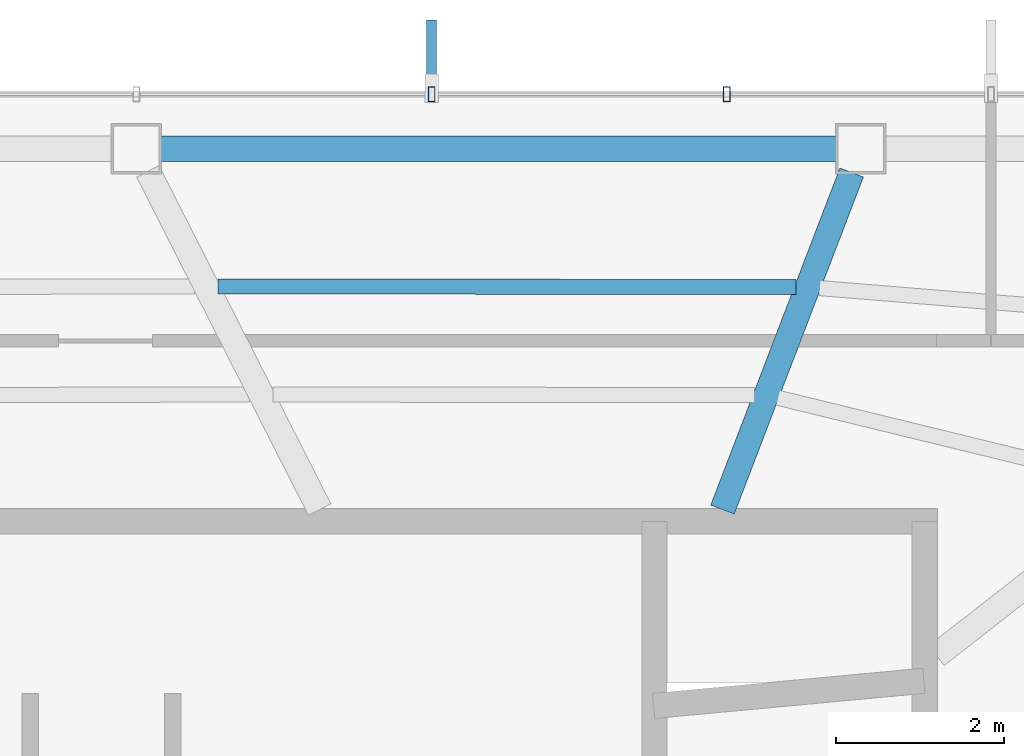
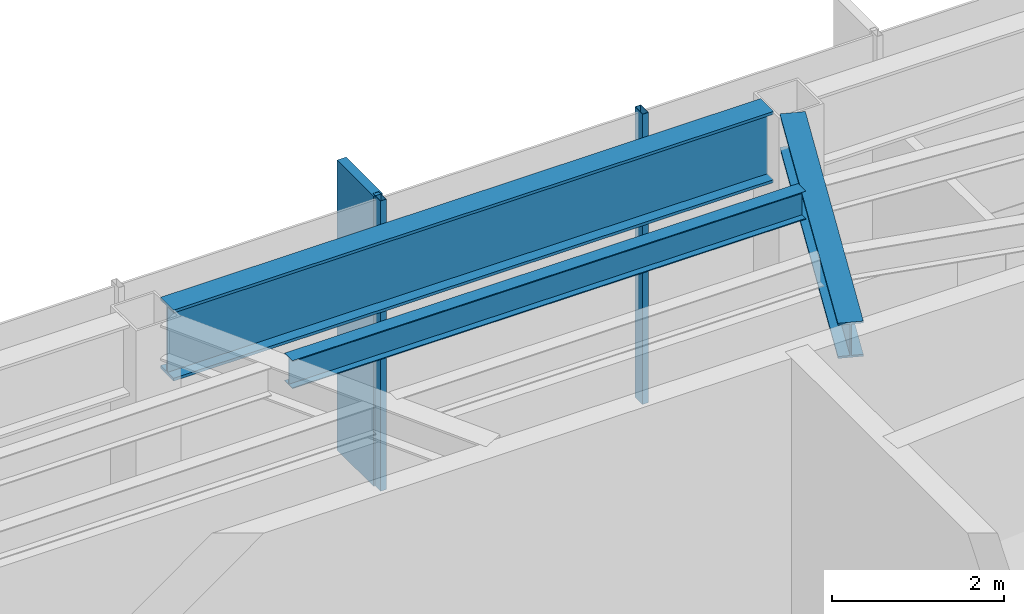
# One storey, part 11 of 23: 3 beams, 3 members, 1 element without a shape of its own.
"""IFC4 building model written with IfcOpenShell, lengths in metres."""

import ifcopenshell
import ifcopenshell.guid

model = None  # the IFC model being written
_history = None  # IfcOwnerHistory: only IFC2X3 demands one
_inside = {}  # id of a spatial element -> (the spatial element, [elements in it])
_under = {}  # id of a project, library or spatial element -> (it, [spatial elements below it])
_declared = {}  # id of a project -> (the project, [libraries it declares])
_typed = {}  # id of a type object -> (the type object, [elements of that type])
_made_of = {}  # id of a material, layer set ... -> (it, [elements and type objects made of it])


def new_model(schema):
    """Start an empty IFC model of exactly this schema.

    Asked for "IFC4X3", IfcOpenShell would pick the latest addendum, in which some entities
    have other attributes; the version numbers below select the first issue.
    IFC2X3 requires an IfcOwnerHistory on every rooted entity: one is made here for all.
    """
    global model, _history
    if schema == "IFC4X3":
        model = ifcopenshell.file(schema_version=(4, 3, 0, 0))
    else:
        model = ifcopenshell.file(schema=schema)
    _inside.clear()
    _under.clear()
    _declared.clear()
    _typed.clear()
    _made_of.clear()
    _history = None
    if model.schema == "IFC2X3":
        org = make("IfcOrganization", Name="unknown")
        user = make(
            "IfcPersonAndOrganization",
            ThePerson=make("IfcPerson", FamilyName="unknown"),
            TheOrganization=org,
        )
        app = make(
            "IfcApplication",
            ApplicationDeveloper=org,
            Version="unknown",
            ApplicationFullName="unknown",
            ApplicationIdentifier="unknown",
        )
        _history = make(
            "IfcOwnerHistory",
            OwningUser=user,
            OwningApplication=app,
            ChangeAction="ADDED",
            CreationDate=0,
        )
    return model


def make(cls, **values):
    """One entity of the class cls with the attributes given. An attribute that is None is left unset."""
    return model.create_entity(
        cls, **{name: value for name, value in values.items() if value is not None}
    )


def rooted(cls, **values):
    """An entity with a GlobalId (a new one), such as an element, a storey or a relation."""
    return make(cls, GlobalId=ifcopenshell.guid.new(), OwnerHistory=_history, **values)


def si_unit(unit_type, name, prefix=None):
    """IfcSIUnit, for example si_unit("LENGTHUNIT", "METRE", prefix="MILLI")."""
    return make("IfcSIUnit", UnitType=unit_type, Prefix=prefix, Name=name)


def assignment(units):
    """IfcUnitAssignment: the units of a project."""
    return None if units is None else make("IfcUnitAssignment", Units=units)


def point(xyz):
    """IfcCartesianPoint."""
    return None if xyz is None else make("IfcCartesianPoint", Coordinates=xyz)


def direction(xyz):
    """IfcDirection."""
    return None if xyz is None else make("IfcDirection", DirectionRatios=xyz)


def frame(location, z_axis=None, x_axis=None):
    """IfcAxis2Placement3D, a coordinate frame: its origin and axes. An axis left out is left unset."""
    return make(
        "IfcAxis2Placement3D",
        Location=point(location),
        Axis=direction(z_axis),
        RefDirection=direction(x_axis),
    )


def frame_2d(location, x_axis=None):
    """IfcAxis2Placement2D, a coordinate frame in the plane: its origin and x axis."""
    return make(
        "IfcAxis2Placement2D", Location=point(location), RefDirection=direction(x_axis)
    )


def origin():
    """The frame at (0, 0, 0) with its axes left unset."""
    return frame((0.0, 0.0, 0.0))


def origin_2d():
    """The frame at (0, 0) in the plane with its x axis left unset."""
    return frame_2d((0.0, 0.0))


def place(relative_to, where):
    """IfcLocalPlacement: puts the frame where relative to a parent placement (None: the world)."""
    return make(
        "IfcLocalPlacement", PlacementRelTo=relative_to, RelativePlacement=where
    )


def context(
    kind, dimensions, precision=None, world=None, true_north=None, identifier=None
):
    """IfcGeometricRepresentationContext, for example the 3D "Model" context."""
    return make(
        "IfcGeometricRepresentationContext",
        ContextIdentifier=identifier,
        ContextType=kind,
        CoordinateSpaceDimension=dimensions,
        Precision=precision,
        WorldCoordinateSystem=world,
        TrueNorth=true_north,
    )


def subcontext(parent, identifier, kind, view, scale=None):
    """IfcGeometricRepresentationSubContext, for example "Body" below "Model"."""
    return make(
        "IfcGeometricRepresentationSubContext",
        ContextIdentifier=identifier,
        ContextType=kind,
        ParentContext=parent,
        TargetScale=scale,
        TargetView=view,
    )


def project(units=None, contexts=None):
    """IfcProject with its units and contexts."""
    return rooted(
        "IfcProject",
        Name="project",
        RepresentationContexts=contexts,
        UnitsInContext=assignment(units),
    )


def spatial(cls, under=None, at=None, **own):
    """A site, building, storey or space (cls), placed at a placement, below another one or the project."""
    s = rooted(cls, ObjectPlacement=at, **own)
    if under is not None:
        _under.setdefault(under.id(), (under, []))[1].append(s)
    return s


def profile(cls, at=None, kind="AREA", **sizes):
    """A parametric profile (cls). Its sizes go by their IFC names, for example OverallWidth=200.0."""
    return make(cls, ProfileType=kind, Position=at, **sizes)


def rectangle(**sizes):
    """IfcRectangleProfileDef."""
    return profile("IfcRectangleProfileDef", **sizes)


def hollow_rectangle(**sizes):
    """IfcRectangleHollowProfileDef."""
    return profile("IfcRectangleHollowProfileDef", **sizes)


def i_section(**sizes):
    """IfcIShapeProfileDef."""
    return profile("IfcIShapeProfileDef", **sizes)


def extrude(swept, where, along, depth):
    """IfcExtrudedAreaSolid: the profile swept, set in the frame where, extruded along a direction by depth."""
    return make(
        "IfcExtrudedAreaSolid",
        SweptArea=swept,
        Position=where,
        ExtrudedDirection=direction(along),
        Depth=depth,
    )


def shape(context_of_items, identifier, shape_type, items):
    """IfcShapeRepresentation: the items that make up one representation, for example the "Body"."""
    return make(
        "IfcShapeRepresentation",
        ContextOfItems=context_of_items,
        RepresentationIdentifier=identifier,
        RepresentationType=shape_type,
        Items=items,
    )


def material(Name=None, Category=None):
    """IfcMaterial."""
    return make("IfcMaterial", Name=Name, Category=Category)


def layer(
    of_material, thickness, ventilated=None, Name=None, Category=None, Priority=None
):
    """IfcMaterialLayer: one layer of a wall or slab, of a material (None: an air gap)."""
    return make(
        "IfcMaterialLayer",
        Material=of_material,
        LayerThickness=thickness,
        IsVentilated=ventilated,
        Name=Name,
        Category=Category,
        Priority=Priority,
    )


def layer_set(layers, Name=None):
    """IfcMaterialLayerSet."""
    return make("IfcMaterialLayerSet", MaterialLayers=layers, LayerSetName=Name)


def material_profile(
    of_material, cross_section, Name=None, Category=None, Priority=None
):
    """IfcMaterialProfile: a cross section and its material."""
    return make(
        "IfcMaterialProfile",
        Name=Name,
        Material=of_material,
        Profile=cross_section,
        Priority=Priority,
        Category=Category,
    )


def profile_set(profiles, Name=None, composite=None):
    """IfcMaterialProfileSet."""
    return make(
        "IfcMaterialProfileSet",
        Name=Name,
        MaterialProfiles=profiles,
        CompositeProfile=composite,
    )


def made_of(thing, what):
    """Note that an element or type object is made of a material, layer set ...; save() writes the relation."""
    if what is not None:
        _made_of.setdefault(what.id(), (what, []))[1].append(thing)
    return thing


def type_object(cls, material=None, **own):
    """A type object (cls), such as IfcWallType, which elements share."""
    return made_of(rooted(cls, **own), material)


def element(
    cls,
    number,
    at=None,
    inside=None,
    cuts=None,
    type_object=None,
    material=None,
    context=None,
    identifier="Body",
    shape_type=None,
    held_by="IfcProductDefinitionShape",
    body=None,
    shapes=None,
    **own,
):
    """One element of the class cls, such as IfcWall. Its Tag is "e" and its number.

    at: its placement. inside: the storey or other place that contains it. cuts: it is an
    opening in that element (IfcRelVoidsElement). A single representation is given by context,
    identifier, shape_type and body (its items); several are given by shapes. held_by: the class
    of the entity that holds the representations. save() writes the other relations.
    """
    e = rooted(cls, Tag="e%d" % number, ObjectPlacement=at, **own)
    if body is not None:
        shapes = [shape(context, identifier, shape_type, body)]
    if shapes is not None:
        e.Representation = make(held_by, Representations=shapes)
    if inside is not None:
        _inside.setdefault(inside.id(), (inside, []))[1].append(e)
    if cuts is not None:
        rooted(
            "IfcRelVoidsElement", RelatingBuildingElement=cuts, RelatedOpeningElement=e
        )
    if type_object is not None:
        _typed.setdefault(type_object.id(), (type_object, []))[1].append(e)
    return made_of(e, material)


def aggregate(whole, parts):
    """IfcRelAggregates: a whole, such as a stair, and the parts it consists of."""
    return rooted("IfcRelAggregates", RelatingObject=whole, RelatedObjects=parts)


def save(model, path):
    """Write the relations noted so far, then the file.

    IfcRelAggregates (storeys below a building ...), IfcRelContainedInSpatialStructure (elements
    in a storey), IfcRelDefinesByType, IfcRelAssociatesMaterial and IfcRelDeclares: one each for
    every whole, place, type object, material and project.
    """
    for whole, parts in _under.values():
        aggregate(whole, parts)
    for where, things in _inside.values():
        rooted(
            "IfcRelContainedInSpatialStructure",
            RelatedElements=things,
            RelatingStructure=where,
        )
    for kind, things in _typed.values():
        rooted("IfcRelDefinesByType", RelatedObjects=things, RelatingType=kind)
    for what, things in _made_of.values():
        rooted("IfcRelAssociatesMaterial", RelatedObjects=things, RelatingMaterial=what)
    for by, libraries in _declared.values():
        rooted("IfcRelDeclares", RelatingContext=by, RelatedDefinitions=libraries)
    model.write(path)


model = new_model("IFC4")

# Units and contexts
model_context = context("Model", 3, precision=1e-05, world=origin(), true_north=direction((0.0, 1.0)))
body_context = subcontext(model_context, "Body", "Model", "MODEL_VIEW")
ifc_project = project(units=[si_unit("LENGTHUNIT", "METRE"), si_unit("AREAUNIT", "SQUARE_METRE"), si_unit("VOLUMEUNIT", "CUBIC_METRE"), si_unit("PLANEANGLEUNIT", "RADIAN"), si_unit("MASSUNIT", "GRAM", prefix="KILO")], contexts=[model_context])

# Site, building, storey
site_placement = place(None, origin())
site = spatial("IfcSite", under=ifc_project, at=site_placement, CompositionType="ELEMENT")
building_placement = place(site_placement, origin())
building = spatial("IfcBuilding", under=site, at=building_placement, Name="Zarrinselat Tower", CompositionType="ELEMENT")
storey_placement = place(building_placement, frame((0.0, 0.0, 199.919921875)))
storey = spatial("IfcBuildingStorey", under=building, at=storey_placement, Name="L49", CompositionType="ELEMENT", Elevation=199.919921875)

# Beams
ifc_material_1 = material(Name="Steel S355J2", Category="steel")
ifc_material_profile_1 = material_profile(ifc_material_1, i_section(OverallWidth=0.300048828125, OverallDepth=0.5, WebThickness=0.014404296875, FlangeThickness=0.028076171875, at=origin_2d()), Name="HEB 500")
ifc_profile_set_1 = profile_set([ifc_material_profile_1], Name="Steel S355J2")
beam_type_1 = type_object("IfcBeamType", Name="BM-HEB500", PredefinedType="BEAM", material=ifc_profile_set_1)
beam_1_placement = place(storey_placement, frame((45.800048828125, 43.5400390625, 3.8701171875), z_axis=(0.357936836321, 0.933745801171, 0.0), x_axis=(-0.933745801171, 0.357936836321, 0.0)))
element("IfcBeam", 1, at=beam_1_placement, inside=storey, type_object=beam_type_1, Name="L49 Radial Primary Girder RG02", PredefinedType="BEAM", context=body_context, shape_type="SweptSolid", body=[
    extrude(i_section(OverallWidth=0.300048828125, OverallDepth=0.5, WebThickness=0.014404296875, FlangeThickness=0.028076171875, at=origin_2d()), origin(), (0.0, 0.0, 1.0), 4.3017578125),
])
ifc_material_2 = material(Name="Steel S460M", Category="steel")
ifc_material_profile_2 = material_profile(ifc_material_2, i_section(OverallWidth=0.302001953125, OverallDepth=1.008056640625, WebThickness=0.02099609375, FlangeThickness=0.0400390625, at=origin_2d()), Name="HEM 1000")
ifc_profile_set_2 = profile_set([ifc_material_profile_2], Name="Steel S460M")
beam_type_2 = type_object("IfcBeamType", Name="BM-HEM1000", PredefinedType="BEAM", material=ifc_profile_set_2)
beam_2_placement = place(storey_placement, frame((39.104248046875, 47.839111328125, 3.615966796875), z_axis=(1.0, 0.0, 0.0), x_axis=(0.0, 1.0, 0.0)))
element("IfcBeam", 2, at=beam_2_placement, inside=storey, type_object=beam_type_2, Name="L49 Perimeter Spandrel Girder SP02", PredefinedType="BEAM", context=body_context, shape_type="SweptSolid", body=[
    extrude(i_section(OverallWidth=0.302001953125, OverallDepth=1.008056640625, WebThickness=0.02099609375, FlangeThickness=0.0400390625, at=origin_2d()), origin(), (0.0, 0.0, 1.0), 8.0556640625),
])
ifc_material_3 = material(Name="Steel S355J2", Category="steel")
ifc_material_profile_3 = material_profile(ifc_material_3, i_section(OverallWidth=0.179931640625, OverallDepth=0.39990234375, WebThickness=0.008544921875, FlangeThickness=0.013427734375, at=origin_2d()), Name="IPE 400")
ifc_profile_set_3 = profile_set([ifc_material_profile_3], Name="Steel S355J2")
beam_type_3 = type_object("IfcBeamType", Name="BM-IPE400", PredefinedType="JOIST", material=ifc_profile_set_3)
beam_3_placement = place(storey_placement, frame((39.7890625, 46.199462890625, 3.920166015625), z_axis=(0.999999315787, -0.001169797144, 0.0), x_axis=(0.001169797144, 0.999999315787, 0.0)))
element("IfcBeam", 3, at=beam_3_placement, inside=storey, type_object=beam_type_3, Name="L49 Composite Floor Joist 7-1", PredefinedType="JOIST", context=body_context, shape_type="SweptSolid", body=[
    extrude(i_section(OverallWidth=0.179931640625, OverallDepth=0.39990234375, WebThickness=0.008544921875, FlangeThickness=0.013427734375, at=origin_2d()), origin(), (0.0, 0.0, 1.0), 6.88720703125),
])

# Curtain wall, members
ifc_material_4 = material(Name="Extruded Aluminium Alloy EN AW-6063 T6", Category="aluminium")
ifc_layer = layer(ifc_material_4, 0.195068359375)
ifc_layer_set = layer_set([ifc_layer], Name="Extruded Aluminium Alloy EN AW-6063 T6")
curtain_wall_type = type_object("IfcCurtainWallType", Name="CWS-GDN", PredefinedType="NOTDEFINED", material=ifc_layer_set)
curtain_wall_placement = place(storey_placement, origin())
curtain_wall = element("IfcCurtainWall", 4, at=curtain_wall_placement, inside=storey, type_object=curtain_wall_type, Name="L49 Unitised Curtain Wall CW-L49-E02", PredefinedType="NOTDEFINED")
ifc_material_5 = material(Name="Extruded Aluminium Alloy EN AW-6063 T6", Category="aluminium")
ifc_material_profile_4 = material_profile(ifc_material_5, hollow_rectangle(XDim=0.080078125, YDim=0.179931640625, WallThickness=0.0048828125, at=origin_2d()), Name="RHS 180x80x5")
ifc_profile_set_4 = profile_set([ifc_material_profile_4], Name="Extruded Aluminium Alloy EN AW-6063 T6")
member_type_1 = type_object("IfcMemberType", Name="MEM-CW-MUL", PredefinedType="MULLION", material=ifc_profile_set_4)
member_1_placement = place(storey_placement, frame((42.33349609375, 48.489013671875, 0.0), z_axis=(0.0, 0.0, 1.0), x_axis=(1.0, 0.0, 0.0)))
member_1 = element("IfcMember", 5, at=member_1_placement, type_object=member_type_1, Name="CW-L49-E02 Mullion 7", PredefinedType="MULLION", context=body_context, shape_type="SweptSolid", body=[
    extrude(hollow_rectangle(XDim=0.080078125, YDim=0.179931640625, WallThickness=0.0048828125, at=origin_2d()), origin(), (0.0, 0.0, 1.0), 4.1201171875),
])
member_2_placement = place(storey_placement, frame((45.850830078125, 48.489013671875, 0.0), z_axis=(0.0, 0.0, 1.0), x_axis=(1.0, 0.0, 0.0)))
member_2 = element("IfcMember", 6, at=member_2_placement, type_object=member_type_1, Name="CW-L49-E02 Mullion 8", PredefinedType="MULLION", context=body_context, shape_type="SweptSolid", body=[
    extrude(hollow_rectangle(XDim=0.080078125, YDim=0.179931640625, WallThickness=0.0048828125, at=origin_2d()), origin(), (0.0, 0.0, 1.0), 4.1201171875),
])
ifc_material_6 = material(Name="Honed Cream Travertine Stone", Category="masonry")
ifc_material_profile_5 = material_profile(ifc_material_6, rectangle(XDim=0.1201171875, YDim=0.85009765625, at=origin_2d()), Name="FIN 850x120")
ifc_profile_set_5 = profile_set([ifc_material_profile_5], Name="Honed Cream Travertine Stone")
member_type_2 = type_object("IfcMemberType", Name="MEM-STONE-FIN", PredefinedType="USERDEFINED", material=ifc_profile_set_5)
member_3_placement = place(storey_placement, frame((42.33349609375, 48.948974609375, 0.0), z_axis=(0.0, 0.0, 1.0), x_axis=(1.0, 0.0, 0.0)))
member_3 = element("IfcMember", 7, at=member_3_placement, type_object=member_type_2, Name="L49 Stone Shading Fin CW-L49-E02-07", ObjectType="FIN", PredefinedType="USERDEFINED", context=body_context, shape_type="SweptSolid", body=[
    extrude(rectangle(XDim=0.1201171875, YDim=0.85009765625, at=origin_2d()), origin(), (0.0, 0.0, 1.0), 4.1201171875),
])
aggregate(curtain_wall, [member_1, member_3, member_2])

save(model, "model.ifc")
